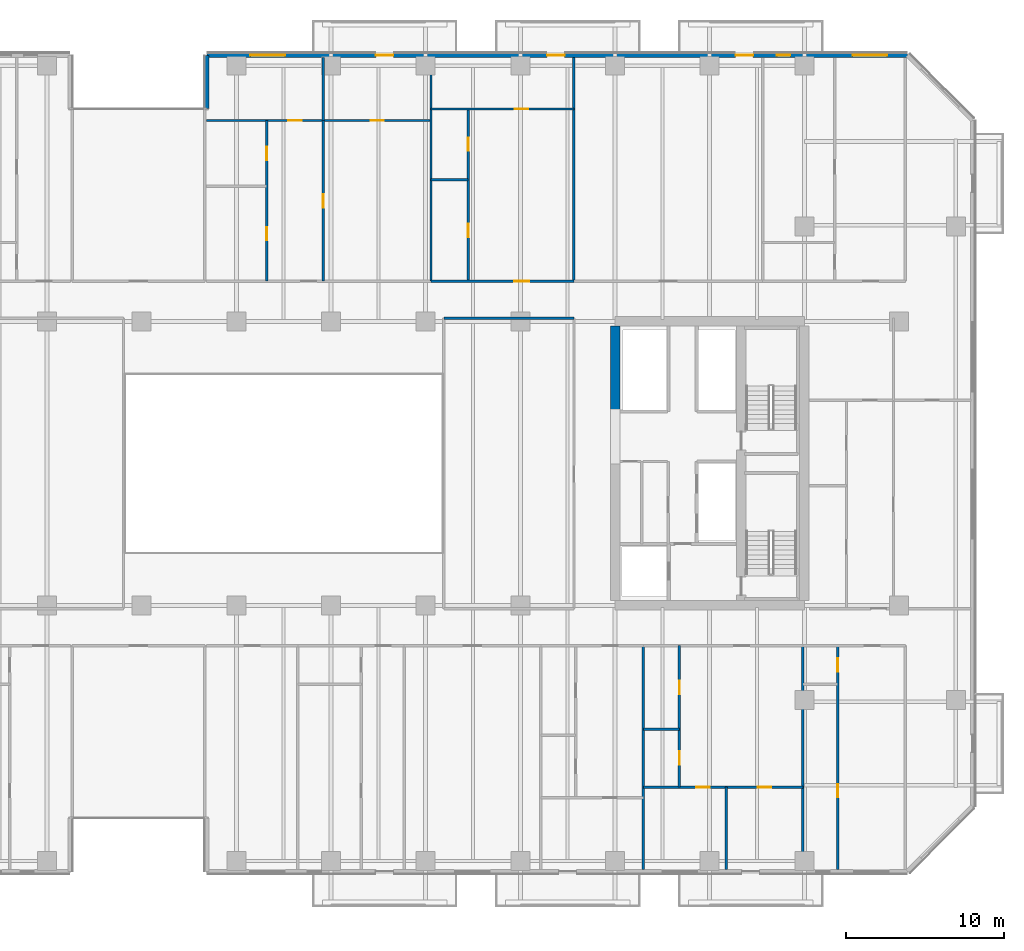
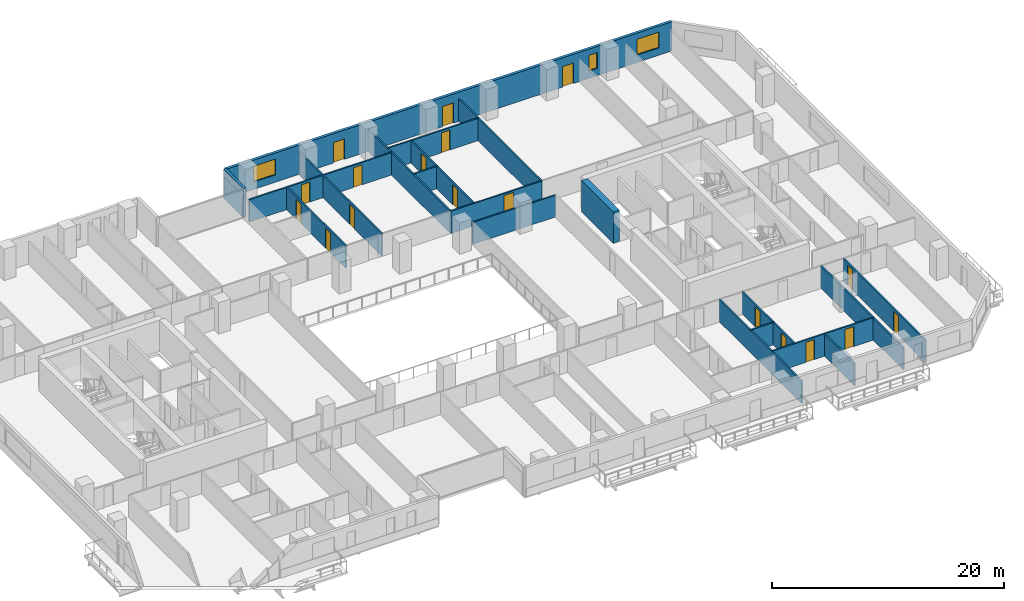
# One storey, part 14 of 26: 21 walls, 18 doors, 3 windows, 21 openings.
"""IFC4 building model written with IfcOpenShell, lengths in metres."""

from ifc_helpers import new_model, si_unit, direction, frame, frame_2d, origin, place, context, subcontext, project, spatial, rectangle, extrude, material, layer, layer_set, type_object, element, fill, save


model = new_model("IFC4")

# Units and contexts
model_context = context("Model", 3, precision=1e-05, world=origin(), true_north=direction((0.0, 1.0)))
body_context = subcontext(model_context, "Body", "Model", "MODEL_VIEW")
ifc_project = project(units=[si_unit("LENGTHUNIT", "METRE"), si_unit("AREAUNIT", "SQUARE_METRE"), si_unit("VOLUMEUNIT", "CUBIC_METRE"), si_unit("PLANEANGLEUNIT", "RADIAN"), si_unit("MASSUNIT", "GRAM", prefix="KILO")], contexts=[model_context])

# Site, building, storey
site_placement = place(None, origin())
site = spatial("IfcSite", under=ifc_project, at=site_placement, CompositionType="ELEMENT")
building_placement = place(site_placement, origin())
building = spatial("IfcBuilding", under=site, at=building_placement, Name="Tanjung Sevakor Pilgrim Tower", CompositionType="ELEMENT")
storey_placement = place(building_placement, frame((0.0, 0.0, 45.5400390625)))
storey = spatial("IfcBuildingStorey", under=building, at=storey_placement, Name="L12", CompositionType="ELEMENT", Elevation=45.5400390625)

# Walls
ifc_material_1 = material(Name="Concrete C60/75", Category="concrete")
ifc_layer_1 = layer(ifc_material_1, 0.60009765625)
ifc_layer_set_1 = layer_set([ifc_layer_1], Name="WALL-CW-600")
wall_type_1 = type_object("IfcWallType", Name="WALL-CW-600", PredefinedType="SHEAR", material=ifc_layer_set_1)
wall_1_placement = place(storey_placement, frame((78.0, 36.800048828125, 0.0), z_axis=(0.0, 0.0, 1.0), x_axis=(0.0, 1.0, 0.0)))
element("IfcWall", 1, at=wall_1_placement, inside=storey, type_object=wall_type_1, Name="L12 E Core Inner Shear Wall North", PredefinedType="SHEAR", context=body_context, shape_type="SweptSolid", body=[
    extrude(rectangle(XDim=5.5, YDim=0.60009765625, at=frame_2d((2.75, 0.0))), origin(), (0.0, 0.0, 1.0), 3.300048828125),
])
ifc_material_2 = material(Name="Concrete C40/50", Category="concrete")
ifc_layer_2 = layer(ifc_material_2, 0.14990234375)
ifc_layer_set_2 = layer_set([ifc_layer_2], Name="WT-COMP-150")
wall_type_2 = type_object("IfcWallType", Name="WT-COMP-150", PredefinedType="SOLIDWALL", material=ifc_layer_set_2)
wall_2_placement = place(storey_placement, frame((67.14990234375, 42.800048828125, 0.0), z_axis=(0.0, 0.0, 1.0), x_axis=(1.0, 0.0, 0.0)))
element("IfcWall", 2, at=wall_2_placement, inside=storey, type_object=wall_type_2, Name="L12 Partition IW-L12-030", PredefinedType="SOLIDWALL", context=body_context, shape_type="SweptSolid", body=[
    extrude(rectangle(XDim=8.25, YDim=0.14990234375, at=frame_2d((4.125, 0.0))), origin(), (0.0, 0.0, 1.0), 2.295166015625),
])
for number, where, z_axis, x_axis, name in (
    (3, (79.795166015625, 7.8798828125, 0.0), (0.0, 0.0, 1.0), (0.0, 1.0, 0.0), "L12 Partition IW-L12-067"),
    (4, (89.902587890625, 7.8798828125, 0.0), (0.0, 0.0, 1.0), (0.0, 1.0, 0.0), "L12 Partition IW-L12-072"),
    (5, (66.34130859375, 45.14990234375, 0.0), (0.0, 0.0, 1.0), (0.0, 1.0, 0.0), "L12 Partition IW-L12-094"),
    (6, (75.39111328125, 45.14990234375, 0.0), (0.0, 0.0, 1.0), (0.0, 1.0, 0.0), "L12 Partition IW-L12-101"),
):
    element("IfcWall", number, at=place(storey_placement, frame(where, z_axis=z_axis, x_axis=x_axis)), inside=storey, type_object=wall_type_2, Name=name, PredefinedType="SOLIDWALL", context=body_context, shape_type="SweptSolid", body=[
        extrude(rectangle(XDim=14.170166015625, YDim=0.14990234375, at=frame_2d((7.0849609375, 0.0))), origin(), (0.0, 0.0, 1.0), 2.35009765625),
    ])

# Wall, opening, door
wall_3_placement = place(storey_placement, frame((66.34130859375, 45.14990234375, 0.0), z_axis=(0.0, 0.0, 1.0), x_axis=(1.0, 0.0, 0.0)))
wall_3 = element("IfcWall", 7, at=wall_3_placement, inside=storey, type_object=wall_type_2, Name="L12 Partition IW-L12-105", PredefinedType="SOLIDWALL", context=body_context, shape_type="SweptSolid", body=[
    extrude(rectangle(XDim=9.0498046875, YDim=0.14990234375, at=frame_2d((4.52490234375, 0.0))), origin(), (0.0, 0.0, 1.0), 2.35009765625),
])
opening_1_placement = place(wall_3_placement, frame((5.264892578125, 0.0, 0.0)))
opening_1 = element("IfcOpeningElement", 8, at=opening_1_placement, cuts=wall_3, Name="Opening ID-FD2", PredefinedType="OPENING", context=body_context, shape_type="SweptSolid", body=[
    extrude(rectangle(XDim=0.949951171875, YDim=2.14990234375, at=frame_2d((0.47509765625, 1.074951171875))), frame((0.0, 0.0849609375, 0.0), z_axis=(0.0, -1.0, 0.0), x_axis=(1.0, 0.0, 0.0)), (0.0, 0.0, 1.0), 0.169921875),
])
ifc_material_3 = material(Name="Fire-Rated Timber", Category="wood")
door_type_1 = type_object("IfcDoorType", Name="DT-FIRE-950", OperationType="NOTDEFINED", PredefinedType="DOOR", material=ifc_material_3)
door_1_placement = place(opening_1_placement, origin())
door_1 = element("IfcDoor", 9, at=door_1_placement, inside=storey, type_object=door_type_1, Name="Residence Entrance", OperationType="SINGLE_SWING_RIGHT", OverallHeight=2.14990234375, OverallWidth=0.949951171875, PredefinedType="DOOR", context=body_context, shape_type="SweptSolid", body=[
    extrude(rectangle(XDim=0.949951171875, YDim=2.14990234375, at=frame_2d((0.47509765625, 1.074951171875))), frame((0.0, 0.02490234375, 0.0), z_axis=(0.0, -1.0, 0.0), x_axis=(1.0, 0.0, 0.0)), (0.0, 0.0, 1.0), 0.050048828125),
])
fill(opening_1, door_1)

# Wall, openings, doors, windows
ifc_material_4 = material(Name="Precast concrete C45/55", Category="concrete")
ifc_layer_3 = layer(ifc_material_4, 0.280029296875)
ifc_layer_set_3 = layer_set([ifc_layer_3], Name="WT-EW-STN2")
wall_type_3 = type_object("IfcWallType", Name="WT-EW-STN2", PredefinedType="SOLIDWALL", material=ifc_layer_set_3)
wall_4_placement = place(storey_placement, frame((96.5419921875, 59.4599609375, 0.0), z_axis=(0.0, 0.0, 1.0), x_axis=(-1.0, 0.0, 0.0)))
wall_4 = element("IfcWall", 10, at=wall_4_placement, inside=storey, type_object=wall_type_3, Name="L12 MAIN Exterior Wall 9", PredefinedType="SOLIDWALL", context=body_context, shape_type="SweptSolid", body=[
    extrude(rectangle(XDim=44.402099609375, YDim=0.280029296875, at=frame_2d((22.201171875, 0.0))), origin(), (0.0, 0.0, 1.0), 3.080078125),
])
opening_2_placement = place(wall_4_placement, frame((32.592041015625, 0.0, 0.0)))
opening_2 = element("IfcOpeningElement", 11, at=opening_2_placement, cuts=wall_4, Name="Opening ED-BAL-1100", PredefinedType="OPENING", context=body_context, shape_type="SweptSolid", body=[
    extrude(rectangle(XDim=1.10009765625, YDim=2.14990234375, at=frame_2d((0.550048828125, 1.074951171875))), frame((0.0, 0.14990234375, 0.0), z_axis=(0.0, -1.0, 0.0), x_axis=(1.0, 0.0, 0.0)), (0.0, 0.0, 1.0), 0.300048828125),
])
opening_3_placement = place(wall_4_placement, frame((21.741943359375, 0.0, 0.0)))
opening_3 = element("IfcOpeningElement", 12, at=opening_3_placement, cuts=wall_4, Name="Opening ED-BAL-1100", PredefinedType="OPENING", context=body_context, shape_type="SweptSolid", body=[
    extrude(rectangle(XDim=1.10009765625, YDim=2.14990234375, at=frame_2d((0.550048828125, 1.074951171875))), frame((0.0, 0.14990234375, 0.0), z_axis=(0.0, -1.0, 0.0), x_axis=(1.0, 0.0, 0.0)), (0.0, 0.0, 1.0), 0.300048828125),
])
opening_4_placement = place(wall_4_placement, frame((9.7919921875, 0.0, 0.0)))
opening_4 = element("IfcOpeningElement", 13, at=opening_4_placement, cuts=wall_4, Name="Opening ED-BAL-1100", PredefinedType="OPENING", context=body_context, shape_type="SweptSolid", body=[
    extrude(rectangle(XDim=1.10009765625, YDim=2.14990234375, at=frame_2d((0.550048828125, 1.074951171875))), frame((0.0, 0.14990234375, 0.0), z_axis=(0.0, -1.0, 0.0), x_axis=(1.0, 0.0, 0.0)), (0.0, 0.0, 1.0), 0.300048828125),
])
opening_5_placement = place(wall_4_placement, frame((39.45458984375, 0.0, 0.780029296875)))
opening_5 = element("IfcOpeningElement", 14, at=opening_5_placement, cuts=wall_4, Name="Opening WN-Z1-1660", PredefinedType="OPENING", context=body_context, shape_type="SweptSolid", body=[
    extrude(rectangle(XDim=2.199951171875, YDim=1.659912109375, at=frame_2d((1.10009765625, 0.830078125))), frame((0.0, 0.14990234375, 0.0), z_axis=(0.0, -1.0, 0.0), x_axis=(1.0, 0.0, 0.0)), (0.0, 0.0, 1.0), 0.300048828125),
])
opening_6_placement = place(wall_4_placement, frame((7.431884765625, 0.0, 0.780029296875)))
opening_6 = element("IfcOpeningElement", 15, at=opening_6_placement, cuts=wall_4, Name="Opening WN-SLM", PredefinedType="OPENING", context=body_context, shape_type="SweptSolid", body=[
    extrude(rectangle(XDim=0.85009765625, YDim=1.64990234375, at=frame_2d((0.425048828125, 0.824951171875))), frame((0.0, 0.14990234375, 0.0), z_axis=(0.0, -1.0, 0.0), x_axis=(1.0, 0.0, 0.0)), (0.0, 0.0, 1.0), 0.300048828125),
])
opening_7_placement = place(wall_4_placement, frame((1.2919921875, 0.0, 0.780029296875)))
opening_7 = element("IfcOpeningElement", 16, at=opening_7_placement, cuts=wall_4, Name="Opening WN-Z1-1660", PredefinedType="OPENING", context=body_context, shape_type="SweptSolid", body=[
    extrude(rectangle(XDim=2.199951171875, YDim=1.659912109375, at=frame_2d((1.10009765625, 0.830078125))), frame((0.0, 0.14990234375, 0.0), z_axis=(0.0, -1.0, 0.0), x_axis=(1.0, 0.0, 0.0)), (0.0, 0.0, 1.0), 0.300048828125),
])
ifc_material_5 = material(Name="Anodised Aluminium and Laminated Glass", Category="aluminium")
door_type_2 = type_object("IfcDoorType", Name="DTYP-ED-BAL-1100", OperationType="NOTDEFINED", PredefinedType="DOOR", material=ifc_material_5)
door_2_placement = place(opening_2_placement, frame((1.10009765625, 0.0, 0.0), z_axis=(0.0, 0.0, 1.0), x_axis=(-1.0, 0.0, 0.0)))
door_2 = element("IfcDoor", 17, at=door_2_placement, inside=storey, type_object=door_type_2, Name="L12 Balcony Door MAIN-N2", OperationType="SINGLE_SWING_RIGHT", OverallHeight=2.14990234375, OverallWidth=1.10009765625, PredefinedType="DOOR", context=body_context, shape_type="SweptSolid", body=[
    extrude(rectangle(XDim=1.10009765625, YDim=2.14990234375, at=frame_2d((0.550048828125, 1.074951171875))), frame((0.0, 0.02490234375, 0.0), z_axis=(0.0, -1.0, 0.0), x_axis=(1.0, 0.0, 0.0)), (0.0, 0.0, 1.0), 0.050048828125),
])
fill(opening_2, door_2)
door_3_placement = place(opening_3_placement, frame((1.10009765625, 0.0, 0.0), z_axis=(0.0, 0.0, 1.0), x_axis=(-1.0, 0.0, 0.0)))
door_3 = element("IfcDoor", 18, at=door_3_placement, inside=storey, type_object=door_type_2, Name="L12 Balcony Door MAIN-N3", OperationType="SINGLE_SWING_LEFT", OverallHeight=2.14990234375, OverallWidth=1.10009765625, PredefinedType="DOOR", context=body_context, shape_type="SweptSolid", body=[
    extrude(rectangle(XDim=1.10009765625, YDim=2.14990234375, at=frame_2d((0.550048828125, 1.074951171875))), frame((0.0, 0.02490234375, 0.0), z_axis=(0.0, -1.0, 0.0), x_axis=(1.0, 0.0, 0.0)), (0.0, 0.0, 1.0), 0.050048828125),
])
fill(opening_3, door_3)
door_4_placement = place(opening_4_placement, frame((1.10009765625, 0.0, 0.0), z_axis=(0.0, 0.0, 1.0), x_axis=(-1.0, 0.0, 0.0)))
door_4 = element("IfcDoor", 19, at=door_4_placement, inside=storey, type_object=door_type_2, Name="L12 Balcony Door MAIN-N4", OperationType="SINGLE_SWING_RIGHT", OverallHeight=2.14990234375, OverallWidth=1.10009765625, PredefinedType="DOOR", context=body_context, shape_type="SweptSolid", body=[
    extrude(rectangle(XDim=1.10009765625, YDim=2.14990234375, at=frame_2d((0.550048828125, 1.074951171875))), frame((0.0, 0.02490234375, 0.0), z_axis=(0.0, -1.0, 0.0), x_axis=(1.0, 0.0, 0.0)), (0.0, 0.0, 1.0), 0.050048828125),
])
fill(opening_4, door_4)
ifc_material_6 = material(Name="Thermally Broken Aluminium and Low-E Glass", Category="aluminium")
window_type_1 = type_object("IfcWindowType", Name="WTYP-WN-SLM", PartitioningType="SINGLE_PANEL", PredefinedType="WINDOW", material=ifc_material_6)
window_1_placement = place(opening_6_placement, origin())
window_1 = element("IfcWindow", 20, at=window_1_placement, inside=storey, type_object=window_type_1, Name="L12 Facade Window 02", OverallHeight=1.64990234375, OverallWidth=0.85009765625, PartitioningType="SINGLE_PANEL", PredefinedType="WINDOW", context=body_context, shape_type="SweptSolid", body=[
    extrude(rectangle(XDim=0.85009765625, YDim=1.64990234375, at=frame_2d((0.425048828125, 0.824951171875))), frame((0.0, 0.030029296875, 0.0), z_axis=(0.0, -1.0, 0.0), x_axis=(1.0, 0.0, 0.0)), (0.0, 0.0, 1.0), 0.06005859375),
])
fill(opening_6, window_1)
ifc_material_7 = material(Name="Thermally Broken Aluminium and Low-E Glass", Category="aluminium")
window_type_2 = type_object("IfcWindowType", Name="WTYP-WN-Z1-1660", PartitioningType="DOUBLE_PANEL_VERTICAL", PredefinedType="WINDOW", material=ifc_material_7)
window_2_placement = place(opening_5_placement, origin())
window_2 = element("IfcWindow", 21, at=window_2_placement, inside=storey, type_object=window_type_2, Name="L12 Facade Window 01", OverallHeight=1.659912109375, OverallWidth=2.199951171875, PartitioningType="SINGLE_PANEL", PredefinedType="WINDOW", context=body_context, shape_type="SweptSolid", body=[
    extrude(rectangle(XDim=2.199951171875, YDim=1.659912109375, at=frame_2d((1.10009765625, 0.830078125))), frame((0.0, 0.030029296875, 0.0), z_axis=(0.0, -1.0, 0.0), x_axis=(1.0, 0.0, 0.0)), (0.0, 0.0, 1.0), 0.06005859375),
])
fill(opening_5, window_2)
window_3_placement = place(opening_7_placement, origin())
window_3 = element("IfcWindow", 22, at=window_3_placement, inside=storey, type_object=window_type_2, Name="L12 Facade Window 03", OverallHeight=1.659912109375, OverallWidth=2.199951171875, PartitioningType="SINGLE_PANEL", PredefinedType="WINDOW", context=body_context, shape_type="SweptSolid", body=[
    extrude(rectangle(XDim=2.199951171875, YDim=1.659912109375, at=frame_2d((1.10009765625, 0.830078125))), frame((0.0, 0.030029296875, 0.0), z_axis=(0.0, -1.0, 0.0), x_axis=(1.0, 0.0, 0.0)), (0.0, 0.0, 1.0), 0.06005859375),
])
fill(opening_7, window_3)

# Walls
wall_5_placement = place(storey_placement, frame((52.139892578125, 59.4599609375, 0.0), z_axis=(0.0, 0.0, 1.0), x_axis=(0.0, -1.0, 0.0)))
element("IfcWall", 23, at=wall_5_placement, inside=storey, type_object=wall_type_3, Name="L12 MAIN Exterior Wall 10", PredefinedType="SOLIDWALL", context=body_context, shape_type="SweptSolid", body=[
    extrude(rectangle(XDim=3.39990234375, YDim=0.280029296875, at=frame_2d((1.699951171875, 0.0))), origin(), (0.0, 0.0, 1.0), 3.080078125),
])
ifc_material_8 = material(Name="Gypsum Board Partition", Category="gypsum board")
ifc_layer_4 = layer(ifc_material_8, 0.14990234375)
ifc_layer_set_4 = layer_set([ifc_layer_4], Name="WT-PART-150")
wall_type_4 = type_object("IfcWallType", Name="WT-PART-150", PredefinedType="PARTITIONING", material=ifc_layer_set_4)
wall_6_placement = place(storey_placement, frame((79.795166015625, 16.7578125, 0.0), z_axis=(0.0, 0.0, 1.0), x_axis=(1.0, 0.0, 0.0)))
element("IfcWall", 24, at=wall_6_placement, inside=storey, type_object=wall_type_4, Name="L12 Partition IW-L12-073", PredefinedType="PARTITIONING", context=body_context, shape_type="SweptSolid", body=[
    extrude(rectangle(XDim=2.284912109375, YDim=0.14990234375, at=frame_2d((1.142578125, 0.0))), origin(), (0.0, 0.0, 1.0), 2.35009765625),
])

# Wall, openings, doors
wall_7_placement = place(storey_placement, frame((82.080078125, 13.080078125, 0.0), z_axis=(0.0, 0.0, 1.0), x_axis=(0.0, 1.0, 0.0)))
wall_7 = element("IfcWall", 25, at=wall_7_placement, inside=storey, type_object=wall_type_4, Name="L12 Partition IW-L12-074", PredefinedType="PARTITIONING", context=body_context, shape_type="SweptSolid", body=[
    extrude(rectangle(XDim=8.969970703125, YDim=0.14990234375, at=frame_2d((4.48486328125, 0.0))), origin(), (0.0, 0.0, 1.0), 2.35009765625),
])
opening_8_placement = place(wall_7_placement, frame((1.413818359375, 0.0, 0.0)))
opening_8 = element("IfcOpeningElement", 26, at=opening_8_placement, cuts=wall_7, Name="Opening ID-WC1", PredefinedType="OPENING", context=body_context, shape_type="SweptSolid", body=[
    extrude(rectangle(XDim=0.85009765625, YDim=2.10009765625, at=frame_2d((0.425048828125, 1.050048828125))), frame((0.0, 0.0849609375, 0.0), z_axis=(0.0, -1.0, 0.0), x_axis=(1.0, 0.0, 0.0)), (0.0, 0.0, 1.0), 0.169921875),
])
opening_9_placement = place(wall_7_placement, frame((5.89892578125, 0.0, 0.0)))
opening_9 = element("IfcOpeningElement", 27, at=opening_9_placement, cuts=wall_7, Name="Opening ID-WC1", PredefinedType="OPENING", context=body_context, shape_type="SweptSolid", body=[
    extrude(rectangle(XDim=0.85009765625, YDim=2.10009765625, at=frame_2d((0.425048828125, 1.050048828125))), frame((0.0, 0.0849609375, 0.0), z_axis=(0.0, -1.0, 0.0), x_axis=(1.0, 0.0, 0.0)), (0.0, 0.0, 1.0), 0.169921875),
])
ifc_material_9 = material(Name="Moisture-Resistant Timber", Category="wood")
door_type_3 = type_object("IfcDoorType", Name="DT-INT-850", OperationType="NOTDEFINED", PredefinedType="DOOR", material=ifc_material_9)
door_5_placement = place(opening_8_placement, origin())
door_5 = element("IfcDoor", 28, at=door_5_placement, inside=storey, type_object=door_type_3, Name="Suite Bathroom Door", OperationType="SINGLE_SWING_LEFT", OverallHeight=2.10009765625, OverallWidth=0.85009765625, PredefinedType="DOOR", context=body_context, shape_type="SweptSolid", body=[
    extrude(rectangle(XDim=0.85009765625, YDim=2.10009765625, at=frame_2d((0.425048828125, 1.050048828125))), frame((0.0, 0.02490234375, 0.0), z_axis=(0.0, -1.0, 0.0), x_axis=(1.0, 0.0, 0.0)), (0.0, 0.0, 1.0), 0.050048828125),
])
fill(opening_8, door_5)
door_6_placement = place(opening_9_placement, origin())
door_6 = element("IfcDoor", 29, at=door_6_placement, inside=storey, type_object=door_type_3, Name="Suite Kitchenette Door", OperationType="SINGLE_SWING_RIGHT", OverallHeight=2.10009765625, OverallWidth=0.85009765625, PredefinedType="DOOR", context=body_context, shape_type="SweptSolid", body=[
    extrude(rectangle(XDim=0.85009765625, YDim=2.10009765625, at=frame_2d((0.425048828125, 1.050048828125))), frame((0.0, 0.02490234375, 0.0), z_axis=(0.0, -1.0, 0.0), x_axis=(1.0, 0.0, 0.0)), (0.0, 0.0, 1.0), 0.050048828125),
])
fill(opening_9, door_6)

# Wall
wall_8_placement = place(storey_placement, frame((85.05078125, 7.8798828125, 0.0), z_axis=(0.0, 0.0, 1.0), x_axis=(0.0, 1.0, 0.0)))
element("IfcWall", 30, at=wall_8_placement, inside=storey, type_object=wall_type_4, Name="L12 Partition IW-L12-075", PredefinedType="PARTITIONING", context=body_context, shape_type="SweptSolid", body=[
    extrude(rectangle(XDim=5.2001953125, YDim=0.14990234375, at=frame_2d((2.60009765625, 0.0))), origin(), (0.0, 0.0, 1.0), 2.35009765625),
])

# Wall, openings, doors
wall_9_placement = place(storey_placement, frame((79.795166015625, 13.080078125, 0.0), z_axis=(0.0, 0.0, 1.0), x_axis=(1.0, 0.0, 0.0)))
wall_9 = element("IfcWall", 31, at=wall_9_placement, inside=storey, type_object=wall_type_4, Name="L12 Partition IW-L12-076", PredefinedType="PARTITIONING", context=body_context, shape_type="SweptSolid", body=[
    extrude(rectangle(XDim=10.107421875, YDim=0.14990234375, at=frame_2d((5.0537109375, 0.0))), origin(), (0.0, 0.0, 1.0), 2.35009765625),
])
opening_10_placement = place(wall_9_placement, frame((3.34521484375, 0.0, 0.0)))
opening_10 = element("IfcOpeningElement", 32, at=opening_10_placement, cuts=wall_9, Name="Opening ID-WC1", PredefinedType="OPENING", context=body_context, shape_type="SweptSolid", body=[
    extrude(rectangle(XDim=0.85009765625, YDim=2.10009765625, at=frame_2d((0.425048828125, 1.050048828125))), frame((0.0, 0.0849609375, 0.0), z_axis=(0.0, -1.0, 0.0), x_axis=(1.0, 0.0, 0.0)), (0.0, 0.0, 1.0), 0.169921875),
])
opening_11_placement = place(wall_9_placement, frame((7.256591796875, 0.0, 0.0)))
opening_11 = element("IfcOpeningElement", 33, at=opening_11_placement, cuts=wall_9, Name="Opening ID-WC1", PredefinedType="OPENING", context=body_context, shape_type="SweptSolid", body=[
    extrude(rectangle(XDim=0.85009765625, YDim=2.10009765625, at=frame_2d((0.425048828125, 1.050048828125))), frame((0.0, 0.0849609375, 0.0), z_axis=(0.0, -1.0, 0.0), x_axis=(1.0, 0.0, 0.0)), (0.0, 0.0, 1.0), 0.169921875),
])
door_7_placement = place(opening_10_placement, origin())
door_7 = element("IfcDoor", 34, at=door_7_placement, inside=storey, type_object=door_type_3, Name="Suite Bedroom 1 Door", OperationType="SINGLE_SWING_LEFT", OverallHeight=2.10009765625, OverallWidth=0.85009765625, PredefinedType="DOOR", context=body_context, shape_type="SweptSolid", body=[
    extrude(rectangle(XDim=0.85009765625, YDim=2.10009765625, at=frame_2d((0.425048828125, 1.050048828125))), frame((0.0, 0.02490234375, 0.0), z_axis=(0.0, -1.0, 0.0), x_axis=(1.0, 0.0, 0.0)), (0.0, 0.0, 1.0), 0.050048828125),
])
fill(opening_10, door_7)
door_8_placement = place(opening_11_placement, origin())
door_8 = element("IfcDoor", 35, at=door_8_placement, inside=storey, type_object=door_type_3, Name="Suite Bedroom 2 Door", OperationType="SINGLE_SWING_RIGHT", OverallHeight=2.10009765625, OverallWidth=0.85009765625, PredefinedType="DOOR", context=body_context, shape_type="SweptSolid", body=[
    extrude(rectangle(XDim=0.85009765625, YDim=2.10009765625, at=frame_2d((0.425048828125, 1.050048828125))), frame((0.0, 0.02490234375, 0.0), z_axis=(0.0, -1.0, 0.0), x_axis=(1.0, 0.0, 0.0)), (0.0, 0.0, 1.0), 0.050048828125),
])
fill(opening_11, door_8)

wall_10_placement = place(storey_placement, frame((92.111572265625, 7.8798828125, 0.0), z_axis=(0.0, 0.0, 1.0), x_axis=(0.0, 1.0, 0.0)))
wall_10 = element("IfcWall", 36, at=wall_10_placement, inside=storey, type_object=wall_type_4, Name="L12 Partition IW-L12-079", PredefinedType="PARTITIONING", context=body_context, shape_type="SweptSolid", body=[
    extrude(rectangle(XDim=14.170166015625, YDim=0.14990234375, at=frame_2d((7.0849609375, 0.0))), origin(), (0.0, 0.0, 1.0), 2.35009765625),
])
opening_12_placement = place(wall_10_placement, frame((4.548095703125, 0.0, 0.0)))
opening_12 = element("IfcOpeningElement", 37, at=opening_12_placement, cuts=wall_10, Name="Opening ID-WC1", PredefinedType="OPENING", context=body_context, shape_type="SweptSolid", body=[
    extrude(rectangle(XDim=0.85009765625, YDim=2.10009765625, at=frame_2d((0.425048828125, 1.050048828125))), frame((0.0, 0.0849609375, 0.0), z_axis=(0.0, -1.0, 0.0), x_axis=(1.0, 0.0, 0.0)), (0.0, 0.0, 1.0), 0.169921875),
])
opening_13_placement = place(wall_10_placement, frame((12.52001953125, 0.0, 0.0)))
opening_13 = element("IfcOpeningElement", 38, at=opening_13_placement, cuts=wall_10, Name="Opening ID-WC1", PredefinedType="OPENING", context=body_context, shape_type="SweptSolid", body=[
    extrude(rectangle(XDim=0.85009765625, YDim=2.10009765625, at=frame_2d((0.425048828125, 1.050048828125))), frame((0.0, 0.0849609375, 0.0), z_axis=(0.0, -1.0, 0.0), x_axis=(1.0, 0.0, 0.0)), (0.0, 0.0, 1.0), 0.169921875),
])
door_9_placement = place(opening_12_placement, origin())
door_9 = element("IfcDoor", 39, at=door_9_placement, inside=storey, type_object=door_type_3, Name="Study Nook Door", OperationType="SINGLE_SWING_RIGHT", OverallHeight=2.10009765625, OverallWidth=0.85009765625, PredefinedType="DOOR", context=body_context, shape_type="SweptSolid", body=[
    extrude(rectangle(XDim=0.85009765625, YDim=2.10009765625, at=frame_2d((0.425048828125, 1.050048828125))), frame((0.0, 0.02490234375, 0.0), z_axis=(0.0, -1.0, 0.0), x_axis=(1.0, 0.0, 0.0)), (0.0, 0.0, 1.0), 0.050048828125),
])
fill(opening_12, door_9)
door_10_placement = place(opening_13_placement, origin())
door_10 = element("IfcDoor", 40, at=door_10_placement, inside=storey, type_object=door_type_3, Name="Bathroom Door", OperationType="SINGLE_SWING_LEFT", OverallHeight=2.10009765625, OverallWidth=0.85009765625, PredefinedType="DOOR", context=body_context, shape_type="SweptSolid", body=[
    extrude(rectangle(XDim=0.85009765625, YDim=2.10009765625, at=frame_2d((0.425048828125, 1.050048828125))), frame((0.0, 0.02490234375, 0.0), z_axis=(0.0, -1.0, 0.0), x_axis=(1.0, 0.0, 0.0)), (0.0, 0.0, 1.0), 0.050048828125),
])
fill(opening_13, door_10)

# Wall, opening, door
wall_11_placement = place(storey_placement, frame((59.51513671875, 45.14990234375, 0.0), z_axis=(0.0, 0.0, 1.0), x_axis=(0.0, 1.0, 0.0)))
wall_11 = element("IfcWall", 41, at=wall_11_placement, inside=storey, type_object=wall_type_4, Name="L12 Partition IW-L12-095", PredefinedType="PARTITIONING", context=body_context, shape_type="SweptSolid", body=[
    extrude(rectangle(XDim=10.180908203125, YDim=0.14990234375, at=frame_2d((5.09033203125, 0.0))), origin(), (0.0, 0.0, 1.0), 2.35009765625),
])
opening_14_placement = place(wall_11_placement, frame((4.66552734375, 0.0, 0.0)))
opening_14 = element("IfcOpeningElement", 42, at=opening_14_placement, cuts=wall_11, Name="Opening ID-WC1", PredefinedType="OPENING", context=body_context, shape_type="SweptSolid", body=[
    extrude(rectangle(XDim=0.85009765625, YDim=2.10009765625, at=frame_2d((0.425048828125, 1.050048828125))), frame((0.0, 0.0849609375, 0.0), z_axis=(0.0, -1.0, 0.0), x_axis=(1.0, 0.0, 0.0)), (0.0, 0.0, 1.0), 0.169921875),
])
door_11_placement = place(opening_14_placement, origin())
door_11 = element("IfcDoor", 43, at=door_11_placement, inside=storey, type_object=door_type_3, Name="Suite Study Room Door", OperationType="SINGLE_SWING_LEFT", OverallHeight=2.10009765625, OverallWidth=0.85009765625, PredefinedType="DOOR", context=body_context, shape_type="SweptSolid", body=[
    extrude(rectangle(XDim=0.85009765625, YDim=2.10009765625, at=frame_2d((0.425048828125, 1.050048828125))), frame((0.0, 0.02490234375, 0.0), z_axis=(0.0, -1.0, 0.0), x_axis=(1.0, 0.0, 0.0)), (0.0, 0.0, 1.0), 0.050048828125),
])
fill(opening_14, door_11)

# Wall, openings, doors
wall_12_placement = place(storey_placement, frame((55.919921875, 45.14990234375, 0.0), z_axis=(0.0, 0.0, 1.0), x_axis=(0.0, 1.0, 0.0)))
wall_12 = element("IfcWall", 44, at=wall_12_placement, inside=storey, type_object=wall_type_4, Name="L12 Partition IW-L12-097", PredefinedType="PARTITIONING", context=body_context, shape_type="SweptSolid", body=[
    extrude(rectangle(XDim=10.180908203125, YDim=0.14990234375, at=frame_2d((5.09033203125, 0.0))), origin(), (0.0, 0.0, 1.0), 2.35009765625),
])
opening_15_placement = place(wall_12_placement, frame((2.578369140625, 0.0, 0.0)))
opening_15 = element("IfcOpeningElement", 45, at=opening_15_placement, cuts=wall_12, Name="Opening ID-WC1", PredefinedType="OPENING", context=body_context, shape_type="SweptSolid", body=[
    extrude(rectangle(XDim=0.85009765625, YDim=2.10009765625, at=frame_2d((0.425048828125, 1.050048828125))), frame((0.0, 0.0849609375, 0.0), z_axis=(0.0, -1.0, 0.0), x_axis=(1.0, 0.0, 0.0)), (0.0, 0.0, 1.0), 0.169921875),
])
opening_16_placement = place(wall_12_placement, frame((7.668701171875, 0.0, 0.0)))
opening_16 = element("IfcOpeningElement", 46, at=opening_16_placement, cuts=wall_12, Name="Opening ID-WC1", PredefinedType="OPENING", context=body_context, shape_type="SweptSolid", body=[
    extrude(rectangle(XDim=0.85009765625, YDim=2.10009765625, at=frame_2d((0.425048828125, 1.050048828125))), frame((0.0, 0.0849609375, 0.0), z_axis=(0.0, -1.0, 0.0), x_axis=(1.0, 0.0, 0.0)), (0.0, 0.0, 1.0), 0.169921875),
])
door_12_placement = place(opening_15_placement, origin())
door_12 = element("IfcDoor", 47, at=door_12_placement, inside=storey, type_object=door_type_3, Name="Suite Kitchenette Door", OperationType="SINGLE_SWING_RIGHT", OverallHeight=2.10009765625, OverallWidth=0.85009765625, PredefinedType="DOOR", context=body_context, shape_type="SweptSolid", body=[
    extrude(rectangle(XDim=0.85009765625, YDim=2.10009765625, at=frame_2d((0.425048828125, 1.050048828125))), frame((0.0, 0.02490234375, 0.0), z_axis=(0.0, -1.0, 0.0), x_axis=(1.0, 0.0, 0.0)), (0.0, 0.0, 1.0), 0.050048828125),
])
fill(opening_15, door_12)
door_13_placement = place(opening_16_placement, origin())
door_13 = element("IfcDoor", 48, at=door_13_placement, inside=storey, type_object=door_type_3, Name="Suite Bathroom Door", OperationType="SINGLE_SWING_LEFT", OverallHeight=2.10009765625, OverallWidth=0.85009765625, PredefinedType="DOOR", context=body_context, shape_type="SweptSolid", body=[
    extrude(rectangle(XDim=0.85009765625, YDim=2.10009765625, at=frame_2d((0.425048828125, 1.050048828125))), frame((0.0, 0.02490234375, 0.0), z_axis=(0.0, -1.0, 0.0), x_axis=(1.0, 0.0, 0.0)), (0.0, 0.0, 1.0), 0.050048828125),
])
fill(opening_16, door_13)

# Wall
wall_13_placement = place(storey_placement, frame((59.51513671875, 55.330810546875, 0.0), z_axis=(0.0, 0.0, 1.0), x_axis=(0.0, 1.0, 0.0)))
element("IfcWall", 49, at=wall_13_placement, inside=storey, type_object=wall_type_4, Name="L12 Partition IW-L12-098", PredefinedType="PARTITIONING", context=body_context, shape_type="SweptSolid", body=[
    extrude(rectangle(XDim=3.9892578125, YDim=0.14990234375, at=frame_2d((1.99462890625, 0.0))), origin(), (0.0, 0.0, 1.0), 2.35009765625),
])

# Wall, openings, doors
wall_14_placement = place(storey_placement, frame((52.1201171875, 55.330810546875, 0.0), z_axis=(0.0, 0.0, 1.0), x_axis=(1.0, 0.0, 0.0)))
wall_14 = element("IfcWall", 50, at=wall_14_placement, inside=storey, type_object=wall_type_4, Name="L12 Partition IW-L12-099", PredefinedType="PARTITIONING", context=body_context, shape_type="SweptSolid", body=[
    extrude(rectangle(XDim=14.22119140625, YDim=0.14990234375, at=frame_2d((7.110595703125, 0.0))), origin(), (0.0, 0.0, 1.0), 2.35009765625),
])
opening_17_placement = place(wall_14_placement, frame((5.172607421875, 0.0, 0.0)))
opening_17 = element("IfcOpeningElement", 51, at=opening_17_placement, cuts=wall_14, Name="Opening ID-WC1", PredefinedType="OPENING", context=body_context, shape_type="SweptSolid", body=[
    extrude(rectangle(XDim=0.85009765625, YDim=2.10009765625, at=frame_2d((0.425048828125, 1.050048828125))), frame((0.0, 0.0849609375, 0.0), z_axis=(0.0, -1.0, 0.0), x_axis=(1.0, 0.0, 0.0)), (0.0, 0.0, 1.0), 0.169921875),
])
opening_18_placement = place(wall_14_placement, frame((10.38330078125, 0.0, 0.0)))
opening_18 = element("IfcOpeningElement", 52, at=opening_18_placement, cuts=wall_14, Name="Opening ID-WC1", PredefinedType="OPENING", context=body_context, shape_type="SweptSolid", body=[
    extrude(rectangle(XDim=0.85009765625, YDim=2.10009765625, at=frame_2d((0.425048828125, 1.050048828125))), frame((0.0, 0.0849609375, 0.0), z_axis=(0.0, -1.0, 0.0), x_axis=(1.0, 0.0, 0.0)), (0.0, 0.0, 1.0), 0.169921875),
])
door_14_placement = place(opening_17_placement, origin())
door_14 = element("IfcDoor", 53, at=door_14_placement, inside=storey, type_object=door_type_3, Name="Suite Bedroom 1 Door", OperationType="SINGLE_SWING_RIGHT", OverallHeight=2.10009765625, OverallWidth=0.85009765625, PredefinedType="DOOR", context=body_context, shape_type="SweptSolid", body=[
    extrude(rectangle(XDim=0.85009765625, YDim=2.10009765625, at=frame_2d((0.425048828125, 1.050048828125))), frame((0.0, 0.02490234375, 0.0), z_axis=(0.0, -1.0, 0.0), x_axis=(1.0, 0.0, 0.0)), (0.0, 0.0, 1.0), 0.050048828125),
])
fill(opening_17, door_14)
door_15_placement = place(opening_18_placement, origin())
door_15 = element("IfcDoor", 54, at=door_15_placement, inside=storey, type_object=door_type_3, Name="Suite Bedroom 2 Door", OperationType="SINGLE_SWING_LEFT", OverallHeight=2.10009765625, OverallWidth=0.85009765625, PredefinedType="DOOR", context=body_context, shape_type="SweptSolid", body=[
    extrude(rectangle(XDim=0.85009765625, YDim=2.10009765625, at=frame_2d((0.425048828125, 1.050048828125))), frame((0.0, 0.02490234375, 0.0), z_axis=(0.0, -1.0, 0.0), x_axis=(1.0, 0.0, 0.0)), (0.0, 0.0, 1.0), 0.050048828125),
])
fill(opening_18, door_15)

# Wall
wall_15_placement = place(storey_placement, frame((66.34130859375, 51.587158203125, 0.0), z_axis=(0.0, 0.0, 1.0), x_axis=(1.0, 0.0, 0.0)))
element("IfcWall", 55, at=wall_15_placement, inside=storey, type_object=wall_type_4, Name="L12 Partition IW-L12-102", PredefinedType="PARTITIONING", context=body_context, shape_type="SweptSolid", body=[
    extrude(rectangle(XDim=2.35009765625, YDim=0.14990234375, at=frame_2d((1.175048828125, 0.0))), origin(), (0.0, 0.0, 1.0), 2.35009765625),
])

# Wall, openings, doors
wall_16_placement = place(storey_placement, frame((68.69140625, 45.14990234375, 0.0), z_axis=(0.0, 0.0, 1.0), x_axis=(0.0, 1.0, 0.0)))
wall_16 = element("IfcWall", 56, at=wall_16_placement, inside=storey, type_object=wall_type_4, Name="L12 Partition IW-L12-103", PredefinedType="PARTITIONING", context=body_context, shape_type="SweptSolid", body=[
    extrude(rectangle(XDim=10.910400390625, YDim=0.14990234375, at=frame_2d((5.455078125, 0.0))), origin(), (0.0, 0.0, 1.0), 2.35009765625),
])
opening_19_placement = place(wall_16_placement, frame((2.793701171875, 0.0, 0.0)))
opening_19 = element("IfcOpeningElement", 57, at=opening_19_placement, cuts=wall_16, Name="Opening ID-WC1", PredefinedType="OPENING", context=body_context, shape_type="SweptSolid", body=[
    extrude(rectangle(XDim=0.85009765625, YDim=2.10009765625, at=frame_2d((0.425048828125, 1.050048828125))), frame((0.0, 0.0849609375, 0.0), z_axis=(0.0, -1.0, 0.0), x_axis=(1.0, 0.0, 0.0)), (0.0, 0.0, 1.0), 0.169921875),
])
opening_20_placement = place(wall_16_placement, frame((8.248779296875, 0.0, 0.0)))
opening_20 = element("IfcOpeningElement", 58, at=opening_20_placement, cuts=wall_16, Name="Opening ID-WC1", PredefinedType="OPENING", context=body_context, shape_type="SweptSolid", body=[
    extrude(rectangle(XDim=0.85009765625, YDim=2.10009765625, at=frame_2d((0.425048828125, 1.050048828125))), frame((0.0, 0.0849609375, 0.0), z_axis=(0.0, -1.0, 0.0), x_axis=(1.0, 0.0, 0.0)), (0.0, 0.0, 1.0), 0.169921875),
])
door_16_placement = place(opening_19_placement, origin())
door_16 = element("IfcDoor", 59, at=door_16_placement, inside=storey, type_object=door_type_3, Name="Residence Kitchenette Door", OperationType="SINGLE_SWING_LEFT", OverallHeight=2.10009765625, OverallWidth=0.85009765625, PredefinedType="DOOR", context=body_context, shape_type="SweptSolid", body=[
    extrude(rectangle(XDim=0.85009765625, YDim=2.10009765625, at=frame_2d((0.425048828125, 1.050048828125))), frame((0.0, 0.02490234375, 0.0), z_axis=(0.0, -1.0, 0.0), x_axis=(1.0, 0.0, 0.0)), (0.0, 0.0, 1.0), 0.050048828125),
])
fill(opening_19, door_16)
door_17_placement = place(opening_20_placement, origin())
door_17 = element("IfcDoor", 60, at=door_17_placement, inside=storey, type_object=door_type_3, Name="Residence Bathroom Door", OperationType="SINGLE_SWING_RIGHT", OverallHeight=2.10009765625, OverallWidth=0.85009765625, PredefinedType="DOOR", context=body_context, shape_type="SweptSolid", body=[
    extrude(rectangle(XDim=0.85009765625, YDim=2.10009765625, at=frame_2d((0.425048828125, 1.050048828125))), frame((0.0, 0.02490234375, 0.0), z_axis=(0.0, -1.0, 0.0), x_axis=(1.0, 0.0, 0.0)), (0.0, 0.0, 1.0), 0.050048828125),
])
fill(opening_20, door_17)

# Wall, opening, door
wall_17_placement = place(storey_placement, frame((66.34130859375, 56.060302734375, 0.0), z_axis=(0.0, 0.0, 1.0), x_axis=(1.0, 0.0, 0.0)))
wall_17 = element("IfcWall", 61, at=wall_17_placement, inside=storey, type_object=wall_type_4, Name="L12 Partition IW-L12-104", PredefinedType="PARTITIONING", context=body_context, shape_type="SweptSolid", body=[
    extrude(rectangle(XDim=9.0498046875, YDim=0.14990234375, at=frame_2d((4.52490234375, 0.0))), origin(), (0.0, 0.0, 1.0), 2.35009765625),
])
opening_21_placement = place(wall_17_placement, frame((5.31494140625, 0.0, 0.0)))
opening_21 = element("IfcOpeningElement", 62, at=opening_21_placement, cuts=wall_17, Name="Opening ID-WC1", PredefinedType="OPENING", context=body_context, shape_type="SweptSolid", body=[
    extrude(rectangle(XDim=0.85009765625, YDim=2.10009765625, at=frame_2d((0.425048828125, 1.050048828125))), frame((0.0, 0.0849609375, 0.0), z_axis=(0.0, -1.0, 0.0), x_axis=(1.0, 0.0, 0.0)), (0.0, 0.0, 1.0), 0.169921875),
])
door_18_placement = place(opening_21_placement, origin())
door_18 = element("IfcDoor", 63, at=door_18_placement, inside=storey, type_object=door_type_3, Name="Residence Bedroom Door", OperationType="SINGLE_SWING_LEFT", OverallHeight=2.10009765625, OverallWidth=0.85009765625, PredefinedType="DOOR", context=body_context, shape_type="SweptSolid", body=[
    extrude(rectangle(XDim=0.85009765625, YDim=2.10009765625, at=frame_2d((0.425048828125, 1.050048828125))), frame((0.0, 0.02490234375, 0.0), z_axis=(0.0, -1.0, 0.0), x_axis=(1.0, 0.0, 0.0)), (0.0, 0.0, 1.0), 0.050048828125),
])
fill(opening_21, door_18)

save(model, "model.ifc")
